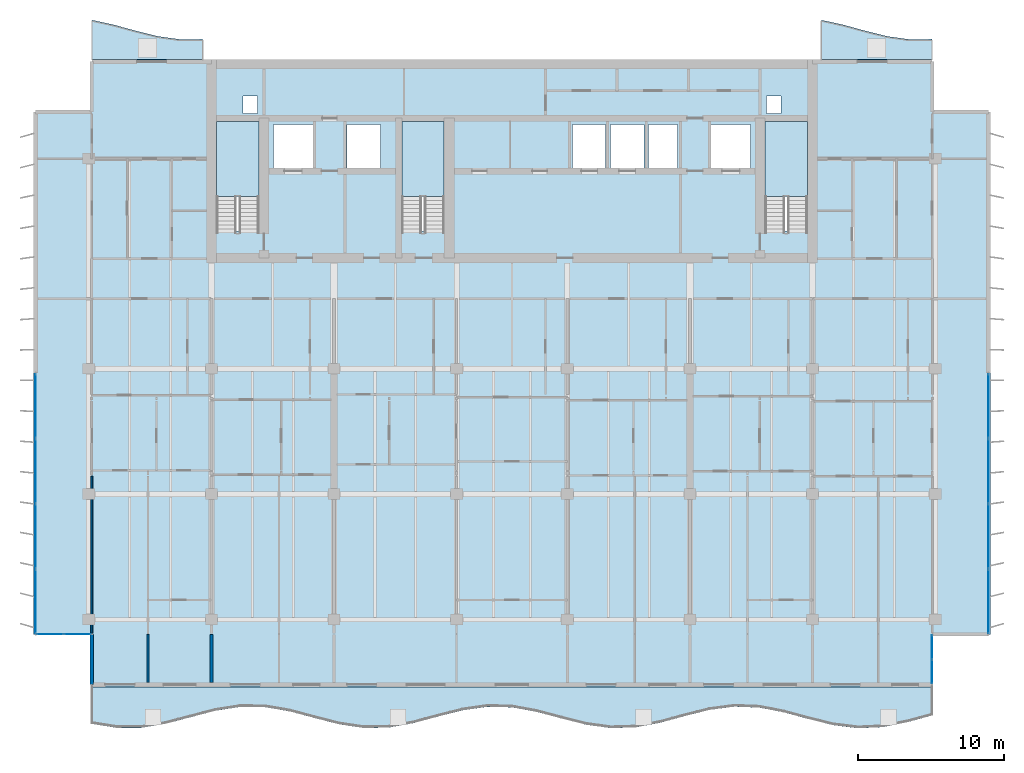
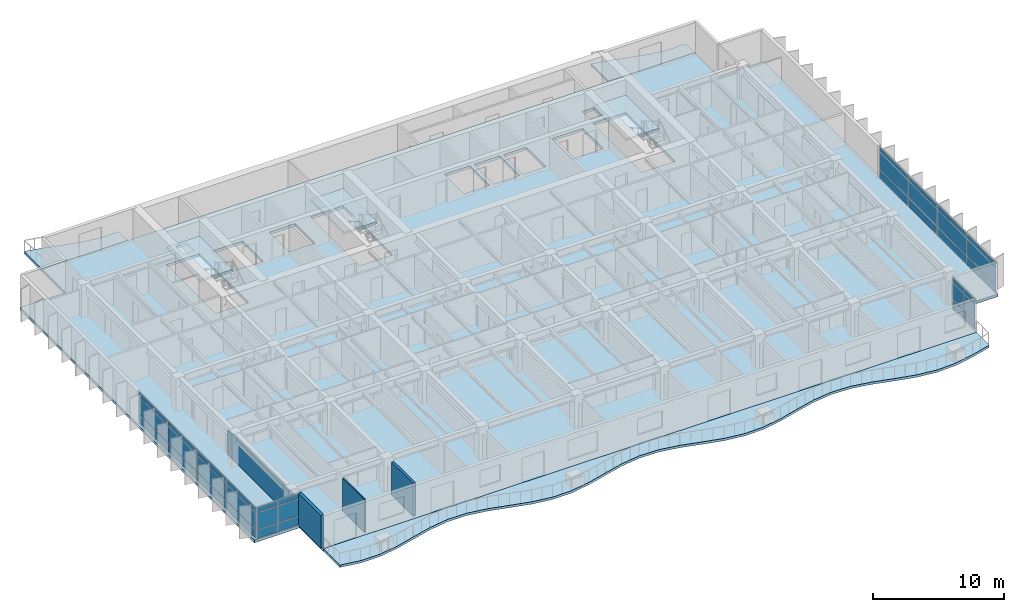
# One storey, part 7 of 19: 36 plates, 7 slabs, 4 walls, 7 elements without a shape of their own.
"""IFC4 building model written with IfcOpenShell, lengths in metres."""

from ifc_helpers import new_model, si_unit, direction, frame, frame_2d, origin, origin_2d, place, context, subcontext, project, spatial, polyline, rectangle, outline, extrude, material, layer, layer_set, type_object, element, aggregate, save


model = new_model("IFC4")

# Units and contexts
model_context = context("Model", 3, precision=1e-05, world=origin(), true_north=direction((0.0, 1.0)))
body_context = subcontext(model_context, "Body", "Model", "MODEL_VIEW")
ifc_project = project(units=[si_unit("LENGTHUNIT", "METRE"), si_unit("AREAUNIT", "SQUARE_METRE"), si_unit("VOLUMEUNIT", "CUBIC_METRE"), si_unit("PLANEANGLEUNIT", "RADIAN"), si_unit("MASSUNIT", "GRAM", prefix="KILO")], contexts=[model_context])

# Site, building, storey
site_placement = place(None, origin())
site = spatial("IfcSite", under=ifc_project, at=site_placement, CompositionType="ELEMENT")
building_placement = place(site_placement, origin())
building = spatial("IfcBuilding", under=site, at=building_placement, Name="Caelmar Bay Residences", CompositionType="ELEMENT")
storey_placement = place(building_placement, frame((0.0, 0.0, 160.5)))
storey = spatial("IfcBuildingStorey", under=building, at=storey_placement, Name="L44", CompositionType="ELEMENT", Elevation=160.5)

# Curtain wall, plates
ifc_material_1 = material(Name="Anodised bronze aluminium 6063-T6 and laminated glass", Category="aluminium")
ifc_layer_1 = layer(ifc_material_1, 0.179931640625)
ifc_layer_set_1 = layer_set([ifc_layer_1], Name="Anodised bronze aluminium 6063-T6 and laminated glass")
curtain_wall_type_1 = type_object("IfcCurtainWallType", Name="CW6-NTC", PredefinedType="NOTDEFINED", material=ifc_layer_set_1)
curtain_wall_1_placement = place(storey_placement, origin())
curtain_wall_1 = element("IfcCurtainWall", 1, at=curtain_wall_1_placement, inside=storey, type_object=curtain_wall_type_1, Name="CW6 curtain wall L44", PredefinedType="NOTDEFINED")
ifc_material_2 = material(Name="Bronze-tinted laminated low-E hurricane glass 28 mm", Category="glass")
ifc_layer_2 = layer(ifc_material_2, 0.028076171875)
ifc_layer_set_2 = layer_set([ifc_layer_2], Name="Bronze-tinted laminated low-E hurricane glass 28 mm")
plate_type = type_object("IfcPlateType", Name="CWP-GLZ28", PredefinedType="CURTAIN_PANEL", material=ifc_layer_set_2)
plate_1_placement = place(storey_placement, frame((7.232421875, 11.199951171875, 0.080078125), z_axis=(0.0, 0.0, 1.0), x_axis=(1.0, 0.0, 0.0)))
plate_1 = element("IfcPlate", 2, at=plate_1_placement, type_object=plate_type, Name="CW6 panel 1.1", PredefinedType="CURTAIN_PANEL", context=body_context, shape_type="SweptSolid", body=[
    extrude(rectangle(XDim=1.804931640625, YDim=0.028076171875, at=origin_2d()), origin(), (0.0, 0.0, 1.0), 0.780029296875),
])
plate_2_placement = place(storey_placement, frame((7.232421875, 11.199951171875, 0.93994140625), z_axis=(0.0, 0.0, 1.0), x_axis=(1.0, 0.0, 0.0)))
plate_2 = element("IfcPlate", 3, at=plate_2_placement, type_object=plate_type, Name="CW6 panel 1.2", PredefinedType="CURTAIN_PANEL", context=body_context, shape_type="SweptSolid", body=[
    extrude(rectangle(XDim=1.804931640625, YDim=0.028076171875, at=origin_2d()), origin(), (0.0, 0.0, 1.0), 1.52001953125),
])
plate_3_placement = place(storey_placement, frame((7.232421875, 11.199951171875, 2.5400390625), z_axis=(0.0, 0.0, 1.0), x_axis=(1.0, 0.0, 0.0)))
plate_3 = element("IfcPlate", 4, at=plate_3_placement, type_object=plate_type, Name="CW6 panel 1.3", PredefinedType="CURTAIN_PANEL", context=body_context, shape_type="SweptSolid", body=[
    extrude(rectangle(XDim=1.804931640625, YDim=0.028076171875, at=origin_2d()), origin(), (0.0, 0.0, 1.0), 0.429931640625),
])
plate_4_placement = place(storey_placement, frame((9.117431640625, 11.199951171875, 0.080078125), z_axis=(0.0, 0.0, 1.0), x_axis=(1.0, 0.0, 0.0)))
plate_4 = element("IfcPlate", 5, at=plate_4_placement, type_object=plate_type, Name="CW6 panel 2.1", PredefinedType="CURTAIN_PANEL", context=body_context, shape_type="SweptSolid", body=[
    extrude(rectangle(XDim=1.804931640625, YDim=0.028076171875, at=origin_2d()), origin(), (0.0, 0.0, 1.0), 0.780029296875),
])
plate_5_placement = place(storey_placement, frame((9.117431640625, 11.199951171875, 0.93994140625), z_axis=(0.0, 0.0, 1.0), x_axis=(1.0, 0.0, 0.0)))
plate_5 = element("IfcPlate", 6, at=plate_5_placement, type_object=plate_type, Name="CW6 panel 2.2", PredefinedType="CURTAIN_PANEL", context=body_context, shape_type="SweptSolid", body=[
    extrude(rectangle(XDim=1.804931640625, YDim=0.028076171875, at=origin_2d()), origin(), (0.0, 0.0, 1.0), 1.52001953125),
])
plate_6_placement = place(storey_placement, frame((9.117431640625, 11.199951171875, 2.5400390625), z_axis=(0.0, 0.0, 1.0), x_axis=(1.0, 0.0, 0.0)))
plate_6 = element("IfcPlate", 7, at=plate_6_placement, type_object=plate_type, Name="CW6 panel 2.3", PredefinedType="CURTAIN_PANEL", context=body_context, shape_type="SweptSolid", body=[
    extrude(rectangle(XDim=1.804931640625, YDim=0.028076171875, at=origin_2d()), origin(), (0.0, 0.0, 1.0), 0.429931640625),
])
aggregate(curtain_wall_1, [plate_1, plate_2, plate_3, plate_4, plate_5, plate_6])

curtain_wall_2_placement = place(storey_placement, origin())
curtain_wall_2 = element("IfcCurtainWall", 8, at=curtain_wall_2_placement, inside=storey, type_object=curtain_wall_type_1, Name="CW6 curtain wall L44", PredefinedType="NOTDEFINED")
plate_7_placement = place(storey_placement, frame((67.699951171875, 8.632568359375, 0.080078125), z_axis=(0.0, 0.0, 1.0), x_axis=(0.0, 1.0, 0.0)))
plate_7 = element("IfcPlate", 9, at=plate_7_placement, type_object=plate_type, Name="CW6 panel 1.1", PredefinedType="CURTAIN_PANEL", context=body_context, shape_type="SweptSolid", body=[
    extrude(rectangle(XDim=1.60498046875, YDim=0.028076171875, at=origin_2d()), origin(), (0.0, 0.0, 1.0), 0.780029296875),
])
plate_8_placement = place(storey_placement, frame((67.699951171875, 8.632568359375, 0.93994140625), z_axis=(0.0, 0.0, 1.0), x_axis=(0.0, 1.0, 0.0)))
plate_8 = element("IfcPlate", 10, at=plate_8_placement, type_object=plate_type, Name="CW6 panel 1.2", PredefinedType="CURTAIN_PANEL", context=body_context, shape_type="SweptSolid", body=[
    extrude(rectangle(XDim=1.60498046875, YDim=0.028076171875, at=origin_2d()), origin(), (0.0, 0.0, 1.0), 1.52001953125),
])
plate_9_placement = place(storey_placement, frame((67.699951171875, 8.632568359375, 2.5400390625), z_axis=(0.0, 0.0, 1.0), x_axis=(0.0, 1.0, 0.0)))
plate_9 = element("IfcPlate", 11, at=plate_9_placement, type_object=plate_type, Name="CW6 panel 1.3", PredefinedType="CURTAIN_PANEL", context=body_context, shape_type="SweptSolid", body=[
    extrude(rectangle(XDim=1.60498046875, YDim=0.028076171875, at=origin_2d()), origin(), (0.0, 0.0, 1.0), 0.429931640625),
])
plate_10_placement = place(storey_placement, frame((67.699951171875, 10.3173828125, 0.080078125), z_axis=(0.0, 0.0, 1.0), x_axis=(0.0, 1.0, 0.0)))
plate_10 = element("IfcPlate", 12, at=plate_10_placement, type_object=plate_type, Name="CW6 panel 2.1", PredefinedType="CURTAIN_PANEL", context=body_context, shape_type="SweptSolid", body=[
    extrude(rectangle(XDim=1.60498046875, YDim=0.028076171875, at=origin_2d()), origin(), (0.0, 0.0, 1.0), 0.780029296875),
])
plate_11_placement = place(storey_placement, frame((67.699951171875, 10.3173828125, 0.93994140625), z_axis=(0.0, 0.0, 1.0), x_axis=(0.0, 1.0, 0.0)))
plate_11 = element("IfcPlate", 13, at=plate_11_placement, type_object=plate_type, Name="CW6 panel 2.2", PredefinedType="CURTAIN_PANEL", context=body_context, shape_type="SweptSolid", body=[
    extrude(rectangle(XDim=1.60498046875, YDim=0.028076171875, at=origin_2d()), origin(), (0.0, 0.0, 1.0), 1.52001953125),
])
plate_12_placement = place(storey_placement, frame((67.699951171875, 10.3173828125, 2.5400390625), z_axis=(0.0, 0.0, 1.0), x_axis=(0.0, 1.0, 0.0)))
plate_12 = element("IfcPlate", 14, at=plate_12_placement, type_object=plate_type, Name="CW6 panel 2.3", PredefinedType="CURTAIN_PANEL", context=body_context, shape_type="SweptSolid", body=[
    extrude(rectangle(XDim=1.60498046875, YDim=0.028076171875, at=origin_2d()), origin(), (0.0, 0.0, 1.0), 0.429931640625),
])
aggregate(curtain_wall_2, [plate_7, plate_8, plate_9, plate_10, plate_11, plate_12])

ifc_layer_3 = layer(ifc_material_1, 0.179931640625)
ifc_layer_set_3 = layer_set([ifc_layer_3], Name="Anodised bronze aluminium 6063-T6 and laminated glass")
curtain_wall_type_2 = type_object("IfcCurtainWallType", Name="CW4-Z3", PredefinedType="NOTDEFINED", material=ifc_layer_set_3)
curtain_wall_3_placement = place(storey_placement, origin())
curtain_wall_3 = element("IfcCurtainWall", 15, at=curtain_wall_3_placement, inside=storey, type_object=curtain_wall_type_2, Name="CW4 curtain wall L44", PredefinedType="NOTDEFINED")
plate_13_placement = place(storey_placement, frame((6.25, 13.45751953125, 0.080078125), z_axis=(0.0, 0.0, 1.0), x_axis=(0.0, 1.0, 0.0)))
plate_13 = element("IfcPlate", 16, at=plate_13_placement, type_object=plate_type, Name="CW4 panel 1.1", PredefinedType="CURTAIN_PANEL", context=body_context, shape_type="SweptSolid", body=[
    extrude(rectangle(XDim=4.35498046875, YDim=0.028076171875, at=origin_2d()), origin(), (0.0, 0.0, 1.0), 0.780029296875),
])
plate_14_placement = place(storey_placement, frame((6.25, 13.45751953125, 0.93994140625), z_axis=(0.0, 0.0, 1.0), x_axis=(0.0, 1.0, 0.0)))
plate_14 = element("IfcPlate", 17, at=plate_14_placement, type_object=plate_type, Name="CW4 panel 1.2", PredefinedType="CURTAIN_PANEL", context=body_context, shape_type="SweptSolid", body=[
    extrude(rectangle(XDim=4.35498046875, YDim=0.028076171875, at=origin_2d()), origin(), (0.0, 0.0, 1.0), 1.52001953125),
])
plate_15_placement = place(storey_placement, frame((6.25, 13.45751953125, 2.5400390625), z_axis=(0.0, 0.0, 1.0), x_axis=(0.0, 1.0, 0.0)))
plate_15 = element("IfcPlate", 18, at=plate_15_placement, type_object=plate_type, Name="CW4 panel 1.3", PredefinedType="CURTAIN_PANEL", context=body_context, shape_type="SweptSolid", body=[
    extrude(rectangle(XDim=4.35498046875, YDim=0.028076171875, at=origin_2d()), origin(), (0.0, 0.0, 1.0), 0.429931640625),
])
plate_16_placement = place(storey_placement, frame((6.25, 17.91259765625, 0.080078125), z_axis=(0.0, 0.0, 1.0), x_axis=(0.0, 1.0, 0.0)))
plate_16 = element("IfcPlate", 19, at=plate_16_placement, type_object=plate_type, Name="CW4 panel 2.1", PredefinedType="CURTAIN_PANEL", context=body_context, shape_type="SweptSolid", body=[
    extrude(rectangle(XDim=4.39501953125, YDim=0.028076171875, at=origin_2d()), origin(), (0.0, 0.0, 1.0), 0.780029296875),
])
plate_17_placement = place(storey_placement, frame((6.25, 17.91259765625, 0.93994140625), z_axis=(0.0, 0.0, 1.0), x_axis=(0.0, 1.0, 0.0)))
plate_17 = element("IfcPlate", 20, at=plate_17_placement, type_object=plate_type, Name="CW4 panel 2.2", PredefinedType="CURTAIN_PANEL", context=body_context, shape_type="SweptSolid", body=[
    extrude(rectangle(XDim=4.39501953125, YDim=0.028076171875, at=origin_2d()), origin(), (0.0, 0.0, 1.0), 1.52001953125),
])
plate_18_placement = place(storey_placement, frame((6.25, 17.91259765625, 2.5400390625), z_axis=(0.0, 0.0, 1.0), x_axis=(0.0, 1.0, 0.0)))
plate_18 = element("IfcPlate", 21, at=plate_18_placement, type_object=plate_type, Name="CW4 panel 2.3", PredefinedType="CURTAIN_PANEL", context=body_context, shape_type="SweptSolid", body=[
    extrude(rectangle(XDim=4.39501953125, YDim=0.028076171875, at=origin_2d()), origin(), (0.0, 0.0, 1.0), 0.429931640625),
])
plate_19_placement = place(storey_placement, frame((6.25, 22.387451171875, 0.080078125), z_axis=(0.0, 0.0, 1.0), x_axis=(0.0, 1.0, 0.0)))
plate_19 = element("IfcPlate", 22, at=plate_19_placement, type_object=plate_type, Name="CW4 panel 3.1", PredefinedType="CURTAIN_PANEL", context=body_context, shape_type="SweptSolid", body=[
    extrude(rectangle(XDim=4.39501953125, YDim=0.028076171875, at=origin_2d()), origin(), (0.0, 0.0, 1.0), 0.780029296875),
])
plate_20_placement = place(storey_placement, frame((6.25, 22.387451171875, 0.93994140625), z_axis=(0.0, 0.0, 1.0), x_axis=(0.0, 1.0, 0.0)))
plate_20 = element("IfcPlate", 23, at=plate_20_placement, type_object=plate_type, Name="CW4 panel 3.2", PredefinedType="CURTAIN_PANEL", context=body_context, shape_type="SweptSolid", body=[
    extrude(rectangle(XDim=4.39501953125, YDim=0.028076171875, at=origin_2d()), origin(), (0.0, 0.0, 1.0), 1.52001953125),
])
plate_21_placement = place(storey_placement, frame((6.25, 22.387451171875, 2.5400390625), z_axis=(0.0, 0.0, 1.0), x_axis=(0.0, 1.0, 0.0)))
plate_21 = element("IfcPlate", 24, at=plate_21_placement, type_object=plate_type, Name="CW4 panel 3.3", PredefinedType="CURTAIN_PANEL", context=body_context, shape_type="SweptSolid", body=[
    extrude(rectangle(XDim=4.39501953125, YDim=0.028076171875, at=origin_2d()), origin(), (0.0, 0.0, 1.0), 0.429931640625),
])
plate_22_placement = place(storey_placement, frame((6.25, 26.842529296875, 0.080078125), z_axis=(0.0, 0.0, 1.0), x_axis=(0.0, 1.0, 0.0)))
plate_22 = element("IfcPlate", 25, at=plate_22_placement, type_object=plate_type, Name="CW4 panel 4.1", PredefinedType="CURTAIN_PANEL", context=body_context, shape_type="SweptSolid", body=[
    extrude(rectangle(XDim=4.35498046875, YDim=0.028076171875, at=origin_2d()), origin(), (0.0, 0.0, 1.0), 0.780029296875),
])
plate_23_placement = place(storey_placement, frame((6.25, 26.842529296875, 0.93994140625), z_axis=(0.0, 0.0, 1.0), x_axis=(0.0, 1.0, 0.0)))
plate_23 = element("IfcPlate", 26, at=plate_23_placement, type_object=plate_type, Name="CW4 panel 4.2", PredefinedType="CURTAIN_PANEL", context=body_context, shape_type="SweptSolid", body=[
    extrude(rectangle(XDim=4.35498046875, YDim=0.028076171875, at=origin_2d()), origin(), (0.0, 0.0, 1.0), 1.52001953125),
])
plate_24_placement = place(storey_placement, frame((6.25, 26.842529296875, 2.5400390625), z_axis=(0.0, 0.0, 1.0), x_axis=(0.0, 1.0, 0.0)))
plate_24 = element("IfcPlate", 27, at=plate_24_placement, type_object=plate_type, Name="CW4 panel 4.3", PredefinedType="CURTAIN_PANEL", context=body_context, shape_type="SweptSolid", body=[
    extrude(rectangle(XDim=4.35498046875, YDim=0.028076171875, at=origin_2d()), origin(), (0.0, 0.0, 1.0), 0.429931640625),
])
aggregate(curtain_wall_3, [plate_13, plate_14, plate_15, plate_16, plate_17, plate_18, plate_19, plate_20, plate_21, plate_22, plate_23, plate_24])

curtain_wall_4_placement = place(storey_placement, origin())
curtain_wall_4 = element("IfcCurtainWall", 28, at=curtain_wall_4_placement, inside=storey, type_object=curtain_wall_type_2, Name="CW4 curtain wall L44", PredefinedType="NOTDEFINED")
plate_25_placement = place(storey_placement, frame((71.550048828125, 26.842529296875, 0.080078125), z_axis=(0.0, 0.0, 1.0), x_axis=(0.0, -1.0, 0.0)))
plate_25 = element("IfcPlate", 29, at=plate_25_placement, type_object=plate_type, Name="CW4 panel 1.1", PredefinedType="CURTAIN_PANEL", context=body_context, shape_type="SweptSolid", body=[
    extrude(rectangle(XDim=4.35498046875, YDim=0.028076171875, at=origin_2d()), origin(), (0.0, 0.0, 1.0), 0.780029296875),
])
plate_26_placement = place(storey_placement, frame((71.550048828125, 26.842529296875, 0.93994140625), z_axis=(0.0, 0.0, 1.0), x_axis=(0.0, -1.0, 0.0)))
plate_26 = element("IfcPlate", 30, at=plate_26_placement, type_object=plate_type, Name="CW4 panel 1.2", PredefinedType="CURTAIN_PANEL", context=body_context, shape_type="SweptSolid", body=[
    extrude(rectangle(XDim=4.35498046875, YDim=0.028076171875, at=origin_2d()), origin(), (0.0, 0.0, 1.0), 1.52001953125),
])
plate_27_placement = place(storey_placement, frame((71.550048828125, 26.842529296875, 2.5400390625), z_axis=(0.0, 0.0, 1.0), x_axis=(0.0, -1.0, 0.0)))
plate_27 = element("IfcPlate", 31, at=plate_27_placement, type_object=plate_type, Name="CW4 panel 1.3", PredefinedType="CURTAIN_PANEL", context=body_context, shape_type="SweptSolid", body=[
    extrude(rectangle(XDim=4.35498046875, YDim=0.028076171875, at=origin_2d()), origin(), (0.0, 0.0, 1.0), 0.429931640625),
])
plate_28_placement = place(storey_placement, frame((71.550048828125, 22.387451171875, 0.080078125), z_axis=(0.0, 0.0, 1.0), x_axis=(0.0, -1.0, 0.0)))
plate_28 = element("IfcPlate", 32, at=plate_28_placement, type_object=plate_type, Name="CW4 panel 2.1", PredefinedType="CURTAIN_PANEL", context=body_context, shape_type="SweptSolid", body=[
    extrude(rectangle(XDim=4.39501953125, YDim=0.028076171875, at=origin_2d()), origin(), (0.0, 0.0, 1.0), 0.780029296875),
])
plate_29_placement = place(storey_placement, frame((71.550048828125, 22.387451171875, 0.93994140625), z_axis=(0.0, 0.0, 1.0), x_axis=(0.0, -1.0, 0.0)))
plate_29 = element("IfcPlate", 33, at=plate_29_placement, type_object=plate_type, Name="CW4 panel 2.2", PredefinedType="CURTAIN_PANEL", context=body_context, shape_type="SweptSolid", body=[
    extrude(rectangle(XDim=4.39501953125, YDim=0.028076171875, at=origin_2d()), origin(), (0.0, 0.0, 1.0), 1.52001953125),
])
plate_30_placement = place(storey_placement, frame((71.550048828125, 22.387451171875, 2.5400390625), z_axis=(0.0, 0.0, 1.0), x_axis=(0.0, -1.0, 0.0)))
plate_30 = element("IfcPlate", 34, at=plate_30_placement, type_object=plate_type, Name="CW4 panel 2.3", PredefinedType="CURTAIN_PANEL", context=body_context, shape_type="SweptSolid", body=[
    extrude(rectangle(XDim=4.39501953125, YDim=0.028076171875, at=origin_2d()), origin(), (0.0, 0.0, 1.0), 0.429931640625),
])
plate_31_placement = place(storey_placement, frame((71.550048828125, 17.91259765625, 0.080078125), z_axis=(0.0, 0.0, 1.0), x_axis=(0.0, -1.0, 0.0)))
plate_31 = element("IfcPlate", 35, at=plate_31_placement, type_object=plate_type, Name="CW4 panel 3.1", PredefinedType="CURTAIN_PANEL", context=body_context, shape_type="SweptSolid", body=[
    extrude(rectangle(XDim=4.39501953125, YDim=0.028076171875, at=origin_2d()), origin(), (0.0, 0.0, 1.0), 0.780029296875),
])
plate_32_placement = place(storey_placement, frame((71.550048828125, 17.91259765625, 0.93994140625), z_axis=(0.0, 0.0, 1.0), x_axis=(0.0, -1.0, 0.0)))
plate_32 = element("IfcPlate", 36, at=plate_32_placement, type_object=plate_type, Name="CW4 panel 3.2", PredefinedType="CURTAIN_PANEL", context=body_context, shape_type="SweptSolid", body=[
    extrude(rectangle(XDim=4.39501953125, YDim=0.028076171875, at=origin_2d()), origin(), (0.0, 0.0, 1.0), 1.52001953125),
])
plate_33_placement = place(storey_placement, frame((71.550048828125, 17.91259765625, 2.5400390625), z_axis=(0.0, 0.0, 1.0), x_axis=(0.0, -1.0, 0.0)))
plate_33 = element("IfcPlate", 37, at=plate_33_placement, type_object=plate_type, Name="CW4 panel 3.3", PredefinedType="CURTAIN_PANEL", context=body_context, shape_type="SweptSolid", body=[
    extrude(rectangle(XDim=4.39501953125, YDim=0.028076171875, at=origin_2d()), origin(), (0.0, 0.0, 1.0), 0.429931640625),
])
plate_34_placement = place(storey_placement, frame((71.550048828125, 13.45751953125, 0.080078125), z_axis=(0.0, 0.0, 1.0), x_axis=(0.0, -1.0, 0.0)))
plate_34 = element("IfcPlate", 38, at=plate_34_placement, type_object=plate_type, Name="CW4 panel 4.1", PredefinedType="CURTAIN_PANEL", context=body_context, shape_type="SweptSolid", body=[
    extrude(rectangle(XDim=4.35498046875, YDim=0.028076171875, at=origin_2d()), origin(), (0.0, 0.0, 1.0), 0.780029296875),
])
plate_35_placement = place(storey_placement, frame((71.550048828125, 13.45751953125, 0.93994140625), z_axis=(0.0, 0.0, 1.0), x_axis=(0.0, -1.0, 0.0)))
plate_35 = element("IfcPlate", 39, at=plate_35_placement, type_object=plate_type, Name="CW4 panel 4.2", PredefinedType="CURTAIN_PANEL", context=body_context, shape_type="SweptSolid", body=[
    extrude(rectangle(XDim=4.35498046875, YDim=0.028076171875, at=origin_2d()), origin(), (0.0, 0.0, 1.0), 1.52001953125),
])
plate_36_placement = place(storey_placement, frame((71.550048828125, 13.45751953125, 2.5400390625), z_axis=(0.0, 0.0, 1.0), x_axis=(0.0, -1.0, 0.0)))
plate_36 = element("IfcPlate", 40, at=plate_36_placement, type_object=plate_type, Name="CW4 panel 4.3", PredefinedType="CURTAIN_PANEL", context=body_context, shape_type="SweptSolid", body=[
    extrude(rectangle(XDim=4.35498046875, YDim=0.028076171875, at=origin_2d()), origin(), (0.0, 0.0, 1.0), 0.429931640625),
])
aggregate(curtain_wall_4, [plate_25, plate_26, plate_27, plate_28, plate_29, plate_30, plate_31, plate_32, plate_33, plate_34, plate_35, plate_36])

# Slabs
ifc_material_3 = material(Name="Concrete f'c 40 MPa (6,000 psi)", Category="concrete")
ifc_layer_4 = layer(ifc_material_3, 0.219970703125)
ifc_layer_set_4 = layer_set([ifc_layer_4], Name="Concrete f'c 40 MPa (6,000 psi)")
slab_type_1 = type_object("IfcSlabType", Name="SLB-BAL-220", PredefinedType="FLOOR", material=ifc_layer_set_4)
slab_1_placement = place(storey_placement, frame((0.0, 0.0, -0.219970703125)))
element("IfcSlab", 41, at=slab_1_placement, inside=storey, type_object=slab_type_1, Name="L44 Sinusoidal Tree-Balcony Slab south", PredefinedType="FLOOR", context=body_context, shape_type="SweptSolid", body=[
    extrude(outline(polyline([(10.10009765625, 5.05908203125), (11.794189453125, 4.785400390625), (13.48828125, 4.789306640625), (15.182373046875, 5.06884765625), (16.87646484375, 5.515869140625), (18.570556640625, 5.956787109375), (20.2646484375, 6.22021484375), (21.958740234375, 6.2041015625), (23.65283203125, 5.914794921875), (25.34716796875, 5.46435546875), (27.041259765625, 5.027587890625), (28.7353515625, 4.7744140625), (30.429443359375, 4.802734375), (32.12353515625, 5.101806640625), (33.817626953125, 5.555419921875), (35.51171875, 5.987548828125), (37.205810546875, 6.230224609375), (38.89990234375, 6.189697265625), (40.593994140625, 5.88134765625), (42.2880859375, 5.4248046875), (43.982421875, 4.997802734375), (45.676513671875, 4.765380859375), (47.37060546875, 4.818359375), (49.064697265625, 5.135986328125), (50.7587890625, 5.5947265625), (52.452880859375, 6.016845703125), (54.147216796875, 6.23828125), (55.84130859375, 6.173095703125), (57.535400390625, 5.8466796875), (59.2294921875, 5.385498046875), (60.923583984375, 4.968994140625), (62.61767578125, 4.758544921875), (64.311767578125, 4.835693359375), (66.005859375, 5.1708984375), (67.699951171875, 5.6337890625), (67.699951171875, 7.60009765625), (10.10009765625, 7.60009765625), (10.10009765625, 5.05908203125)])), origin(), (0.0, 0.0, 1.0), 0.219970703125),
])
slab_2_placement = place(storey_placement, frame((0.0, 0.0, -0.219970703125)))
element("IfcSlab", 42, at=slab_2_placement, inside=storey, type_object=slab_type_1, Name="L44 Sinusoidal Tree-Balcony Slab north_west", PredefinedType="FLOOR", context=body_context, shape_type="SweptSolid", body=[
    extrude(outline(polyline([(10.10009765625, 50.60009765625), (17.699951171875, 50.60009765625), (17.699951171875, 51.990234375), (16.179931640625, 51.971435546875), (14.659912109375, 52.181640625), (13.139892578125, 52.55517578125), (11.6201171875, 52.97412109375), (10.10009765625, 53.306884765625), (10.10009765625, 50.60009765625)])), origin(), (0.0, 0.0, 1.0), 0.219970703125),
])
slab_3_placement = place(storey_placement, frame((0.0, 0.0, -0.219970703125)))
element("IfcSlab", 43, at=slab_3_placement, inside=storey, type_object=slab_type_1, Name="L44 Sinusoidal Tree-Balcony Slab north_east", PredefinedType="FLOOR", context=body_context, shape_type="SweptSolid", body=[
    extrude(outline(polyline([(60.10009765625, 50.60009765625), (67.699951171875, 50.60009765625), (67.699951171875, 51.990234375), (66.179931640625, 51.971435546875), (64.659912109375, 52.181640625), (63.139892578125, 52.55517578125), (61.6201171875, 52.97412109375), (60.10009765625, 53.306884765625), (60.10009765625, 50.60009765625)])), origin(), (0.0, 0.0, 1.0), 0.219970703125),
])

# Stair, slab
stair_type = type_object("IfcStairType", Name="ST-TYP-165", PredefinedType="HALF_TURN_STAIR", material=ifc_material_3)
stair_1_placement = place(storey_placement, origin())
stair_1 = element("IfcStair", 44, at=stair_1_placement, inside=storey, type_object=stair_type, Name="L44 West Smokeproof Exit Stair ST1", PredefinedType="HALF_TURN_STAIR")
ifc_layer_5 = layer(ifc_material_3, 0.199951171875)
ifc_layer_set_5 = layer_set([ifc_layer_5], Name="Concrete f'c 40 MPa (6,000 psi)")
slab_type_2 = type_object("IfcSlabType", Name="SLB-LND-200", PredefinedType="LANDING", material=ifc_layer_set_5)
slab_4_placement = place(storey_placement, frame((0.0, 0.0, 1.449951171875)))
slab_4 = element("IfcSlab", 45, at=slab_4_placement, type_object=slab_type_2, Name="ST1 landing 1", PredefinedType="LANDING", context=body_context, shape_type="SweptSolid", body=[
    extrude(outline(polyline([(21.550048828125, 41.219970703125), (21.550048828125, 46.35009765625), (18.64990234375, 46.35009765625), (18.64990234375, 41.219970703125), (21.550048828125, 41.219970703125)])), origin(), (0.0, 0.0, 1.0), 0.199951171875),
])
aggregate(stair_1, [slab_4])

stair_2_placement = place(storey_placement, origin())
stair_2 = element("IfcStair", 46, at=stair_2_placement, inside=storey, type_object=stair_type, Name="L44 East Smokeproof Exit Stair ST2", PredefinedType="HALF_TURN_STAIR")
slab_5_placement = place(storey_placement, frame((0.0, 0.0, 1.449951171875)))
slab_5 = element("IfcSlab", 47, at=slab_5_placement, type_object=slab_type_2, Name="ST2 landing 1", PredefinedType="LANDING", context=body_context, shape_type="SweptSolid", body=[
    extrude(outline(polyline([(59.14990234375, 41.219970703125), (59.14990234375, 46.35009765625), (56.25, 46.35009765625), (56.25, 41.219970703125), (59.14990234375, 41.219970703125)])), origin(), (0.0, 0.0, 1.0), 0.199951171875),
])
aggregate(stair_2, [slab_5])

stair_3_placement = place(storey_placement, origin())
stair_3 = element("IfcStair", 48, at=stair_3_placement, inside=storey, type_object=stair_type, Name="L44 Central Smokeproof Exit Stair ST3", PredefinedType="HALF_TURN_STAIR")
slab_6_placement = place(storey_placement, frame((0.0, 0.0, 1.449951171875)))
slab_6 = element("IfcSlab", 49, at=slab_6_placement, type_object=slab_type_2, Name="ST3 landing 1", PredefinedType="LANDING", context=body_context, shape_type="SweptSolid", body=[
    extrude(outline(polyline([(34.25, 41.219970703125), (34.25, 46.35009765625), (31.35009765625, 46.35009765625), (31.35009765625, 41.219970703125), (34.25, 41.219970703125)])), origin(), (0.0, 0.0, 1.0), 0.199951171875),
])
aggregate(stair_3, [slab_6])

# Slab
ifc_layer_6 = layer(ifc_material_3, 0.25)
ifc_layer_set_6 = layer_set([ifc_layer_6], Name="Concrete f'c 40 MPa (6,000 psi)")
slab_type_3 = type_object("IfcSlabType", Name="SLB-RES-250", PredefinedType="FLOOR", material=ifc_layer_set_6)
slab_7_placement = place(storey_placement, frame((0.0, 0.0, -0.25)))
element("IfcSlab", 50, at=slab_7_placement, inside=storey, type_object=slab_type_3, Name="L44 Structural Floor Slab", PredefinedType="FLOOR", context=body_context, shape_type="SweptSolid", body=[
    extrude(outline(polyline([(10.10009765625, 7.60009765625), (67.699951171875, 7.60009765625), (67.699951171875, 11.199951171875), (71.699951171875, 11.199951171875), (71.699951171875, 47.0), (67.699951171875, 47.0), (67.699951171875, 50.60009765625), (10.10009765625, 50.60009765625), (10.10009765625, 47.0), (6.10009765625, 47.0), (6.10009765625, 11.199951171875), (10.10009765625, 11.199951171875), (10.10009765625, 7.60009765625)]), holes=[polyline([(18.64990234375, 38.85009765625), (21.550048828125, 38.85009765625), (21.550048828125, 46.35009765625), (18.64990234375, 46.35009765625), (18.64990234375, 38.85009765625)]), polyline([(56.25, 38.85009765625), (59.14990234375, 38.85009765625), (59.14990234375, 46.35009765625), (56.25, 46.35009765625), (56.25, 38.85009765625)]), polyline([(31.35009765625, 38.85009765625), (34.25, 38.85009765625), (34.25, 46.35009765625), (31.35009765625, 46.35009765625), (31.35009765625, 38.85009765625)]), polyline([(22.550048828125, 43.050048828125), (25.25, 43.050048828125), (25.25, 46.14990234375), (22.550048828125, 46.14990234375), (22.550048828125, 43.050048828125)]), polyline([(52.550048828125, 43.050048828125), (55.25, 43.050048828125), (55.25, 46.14990234375), (52.550048828125, 46.14990234375), (52.550048828125, 43.050048828125)]), polyline([(43.050048828125, 43.14990234375), (45.300048828125, 43.14990234375), (45.300048828125, 46.14990234375), (43.050048828125, 46.14990234375), (43.050048828125, 43.14990234375)]), polyline([(45.64990234375, 43.14990234375), (47.949951171875, 43.14990234375), (47.949951171875, 46.14990234375), (45.64990234375, 46.14990234375), (45.64990234375, 43.14990234375)]), polyline([(48.25, 43.14990234375), (50.25, 43.14990234375), (50.25, 46.14990234375), (48.25, 46.14990234375), (48.25, 43.14990234375)]), polyline([(27.60009765625, 43.14990234375), (29.89990234375, 43.14990234375), (29.89990234375, 46.14990234375), (27.60009765625, 46.14990234375), (27.60009765625, 43.14990234375)]), polyline([(20.449951171875, 46.89990234375), (21.449951171875, 46.89990234375), (21.449951171875, 48.10009765625), (20.449951171875, 48.10009765625), (20.449951171875, 46.89990234375)]), polyline([(56.35009765625, 46.89990234375), (57.35009765625, 46.89990234375), (57.35009765625, 48.10009765625), (56.35009765625, 48.10009765625), (56.35009765625, 46.89990234375)])]), origin(), (0.0, 0.0, 1.0), 0.25),
])

# Walls
ifc_material_4 = material(Name="Precast concrete f'c 40 MPa (6,000 psi)", Category="concrete")
ifc_layer_7 = layer(ifc_material_4, 0.25)
ifc_layer_set_7 = layer_set([ifc_layer_7], Name="Precast concrete f'c 40 MPa (6,000 psi)")
wall_type_1 = type_object("IfcWallType", Name="W-EXT-250", PredefinedType="ELEMENTEDWALL", material=ifc_layer_set_7)
wall_1_placement = place(storey_placement, frame((10.10009765625, 11.199951171875, 0.0), z_axis=(0.0, 0.0, 1.0), x_axis=(0.0, -1.0, 0.0)))
element("IfcWall", 51, at=wall_1_placement, inside=storey, type_object=wall_type_1, Name="L44 SW Notch Return Wall", PredefinedType="ELEMENTEDWALL", context=body_context, shape_type="SweptSolid", body=[
    extrude(rectangle(XDim=3.449951171875, YDim=0.25, at=frame_2d((1.72509765625, 0.0))), origin(), (0.0, 0.0, 1.0), 3.050048828125),
])
ifc_material_5 = material(Name="Acoustic metal-stud gypsum partition 120 mm")
ifc_layer_8 = layer(ifc_material_5, 0.1201171875)
ifc_layer_set_8 = layer_set([ifc_layer_8], Name="Acoustic metal-stud gypsum partition 120 mm")
wall_type_2 = type_object("IfcWallType", Name="W-PRT-120", PredefinedType="PARTITIONING", material=ifc_layer_set_8)
wall_2_placement = place(storey_placement, frame((10.10009765625, 11.284912109375, 0.0), z_axis=(0.0, 0.0, 1.0), x_axis=(0.0, 1.0, 0.0)))
element("IfcWall", 52, at=wall_2_placement, inside=storey, type_object=wall_type_2, Name="L44 Partition Wall V001", PredefinedType="PARTITIONING", context=body_context, shape_type="SweptSolid", body=[
    extrude(rectangle(XDim=10.7451171875, YDim=0.1201171875, at=frame_2d((5.37255859375, 0.0))), origin(), (0.0, 0.0, 1.0), 2.262939453125),
])
wall_3_placement = place(storey_placement, frame((13.9541015625, 7.89501953125, 0.0), z_axis=(0.0, 0.0, 1.0), x_axis=(0.0, 1.0, 0.0)))
element("IfcWall", 53, at=wall_3_placement, inside=storey, type_object=wall_type_2, Name="L44 Partition Wall V010", PredefinedType="PARTITIONING", context=body_context, shape_type="SweptSolid", body=[
    extrude(rectangle(XDim=3.304931640625, YDim=0.1201171875, at=frame_2d((1.65234375, 0.0))), origin(), (0.0, 0.0, 1.0), 3.050048828125),
])
ifc_material_6 = material(Name="Acoustic twin-stud fire-rated inter-tenancy partition 200 mm")
ifc_layer_9 = layer(ifc_material_6, 0.199951171875)
ifc_layer_set_9 = layer_set([ifc_layer_9], Name="Acoustic twin-stud fire-rated inter-tenancy partition 200 mm")
wall_type_3 = type_object("IfcWallType", Name="W-PTY-200", PredefinedType="PARTITIONING", material=ifc_layer_set_9)
wall_4_placement = place(storey_placement, frame((18.300048828125, 7.89501953125, 0.0), z_axis=(0.0, 0.0, 1.0), x_axis=(0.0, 1.0, 0.0)))
element("IfcWall", 54, at=wall_4_placement, inside=storey, type_object=wall_type_3, Name="L44 Partition Wall V017", PredefinedType="PARTITIONING", context=body_context, shape_type="SweptSolid", body=[
    extrude(rectangle(XDim=3.304931640625, YDim=0.199951171875, at=frame_2d((1.65234375, 0.0))), origin(), (0.0, 0.0, 1.0), 3.050048828125),
])

save(model, "model.ifc")
